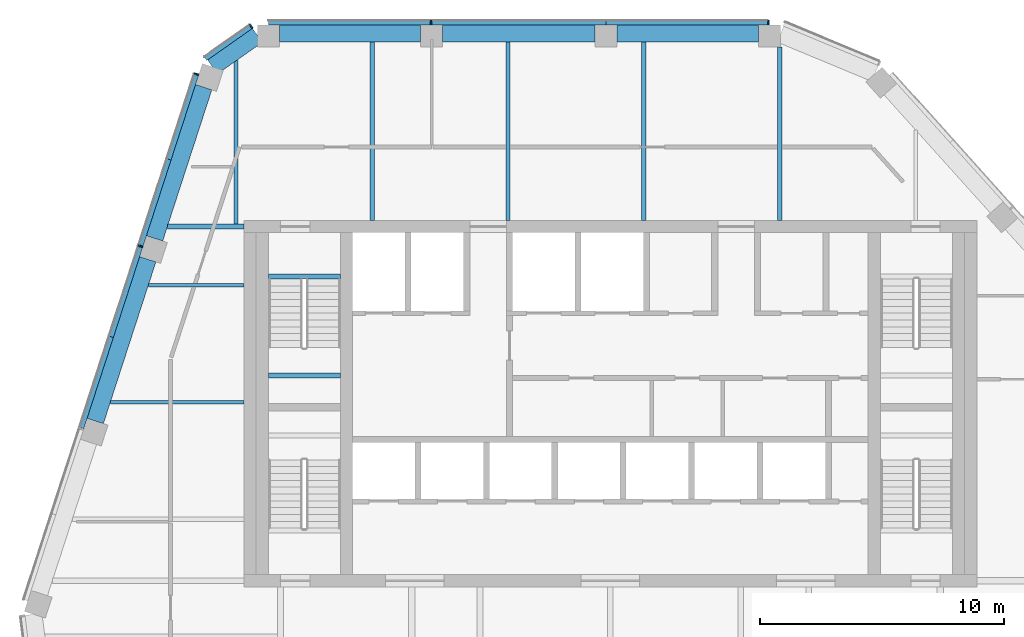
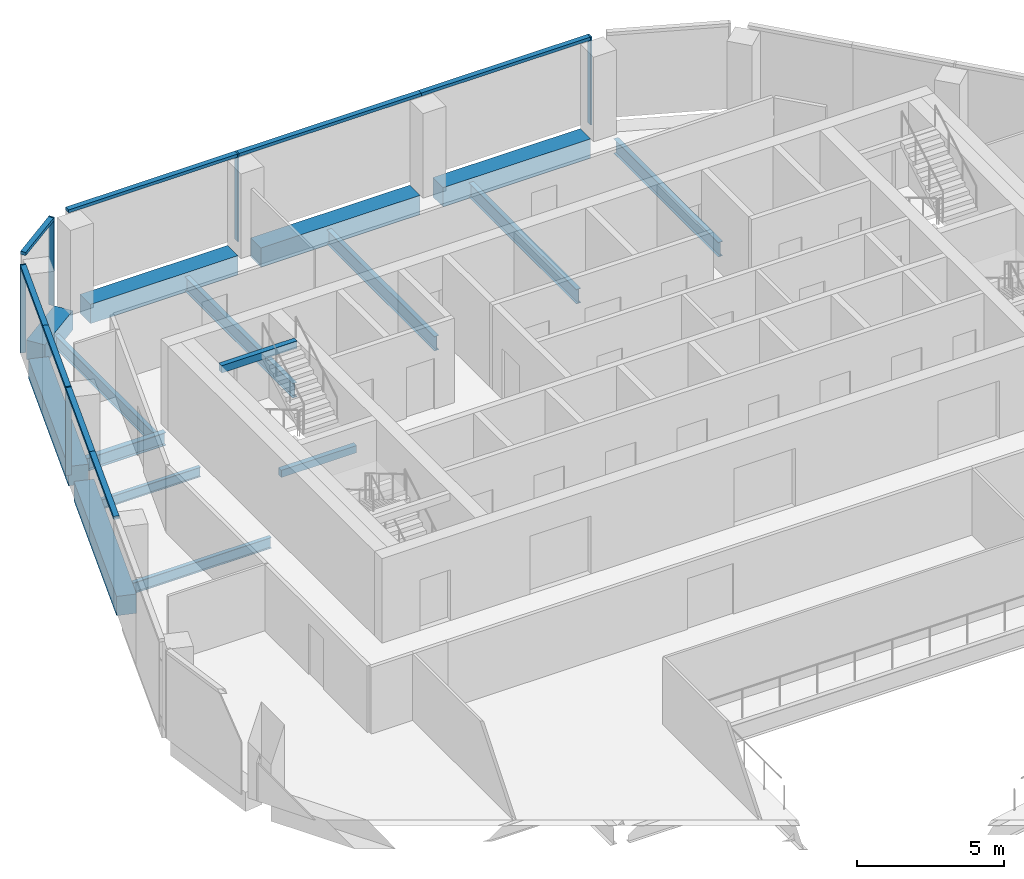
# One storey, part 5 of 15: 16 beams, 13 members, 3 elements without a shape of their own.
"""IFC4 building model written with IfcOpenShell, lengths in metres."""

import ifcopenshell
import ifcopenshell.guid

model = None  # the IFC model being written
_history = None  # IfcOwnerHistory: only IFC2X3 demands one
_inside = {}  # id of a spatial element -> (the spatial element, [elements in it])
_under = {}  # id of a project, library or spatial element -> (it, [spatial elements below it])
_declared = {}  # id of a project -> (the project, [libraries it declares])
_typed = {}  # id of a type object -> (the type object, [elements of that type])
_made_of = {}  # id of a material, layer set ... -> (it, [elements and type objects made of it])


def new_model(schema):
    """Start an empty IFC model of exactly this schema.

    Asked for "IFC4X3", IfcOpenShell would pick the latest addendum, in which some entities
    have other attributes; the version numbers below select the first issue.
    IFC2X3 requires an IfcOwnerHistory on every rooted entity: one is made here for all.
    """
    global model, _history
    if schema == "IFC4X3":
        model = ifcopenshell.file(schema_version=(4, 3, 0, 0))
    else:
        model = ifcopenshell.file(schema=schema)
    _inside.clear()
    _under.clear()
    _declared.clear()
    _typed.clear()
    _made_of.clear()
    _history = None
    if model.schema == "IFC2X3":
        org = make("IfcOrganization", Name="unknown")
        user = make(
            "IfcPersonAndOrganization",
            ThePerson=make("IfcPerson", FamilyName="unknown"),
            TheOrganization=org,
        )
        app = make(
            "IfcApplication",
            ApplicationDeveloper=org,
            Version="unknown",
            ApplicationFullName="unknown",
            ApplicationIdentifier="unknown",
        )
        _history = make(
            "IfcOwnerHistory",
            OwningUser=user,
            OwningApplication=app,
            ChangeAction="ADDED",
            CreationDate=0,
        )
    return model


def make(cls, **values):
    """One entity of the class cls with the attributes given. An attribute that is None is left unset."""
    return model.create_entity(
        cls, **{name: value for name, value in values.items() if value is not None}
    )


def rooted(cls, **values):
    """An entity with a GlobalId (a new one), such as an element, a storey or a relation."""
    return make(cls, GlobalId=ifcopenshell.guid.new(), OwnerHistory=_history, **values)


def si_unit(unit_type, name, prefix=None):
    """IfcSIUnit, for example si_unit("LENGTHUNIT", "METRE", prefix="MILLI")."""
    return make("IfcSIUnit", UnitType=unit_type, Prefix=prefix, Name=name)


def assignment(units):
    """IfcUnitAssignment: the units of a project."""
    return None if units is None else make("IfcUnitAssignment", Units=units)


def point(xyz):
    """IfcCartesianPoint."""
    return None if xyz is None else make("IfcCartesianPoint", Coordinates=xyz)


def direction(xyz):
    """IfcDirection."""
    return None if xyz is None else make("IfcDirection", DirectionRatios=xyz)


def frame(location, z_axis=None, x_axis=None):
    """IfcAxis2Placement3D, a coordinate frame: its origin and axes. An axis left out is left unset."""
    return make(
        "IfcAxis2Placement3D",
        Location=point(location),
        Axis=direction(z_axis),
        RefDirection=direction(x_axis),
    )


def frame_2d(location, x_axis=None):
    """IfcAxis2Placement2D, a coordinate frame in the plane: its origin and x axis."""
    return make(
        "IfcAxis2Placement2D", Location=point(location), RefDirection=direction(x_axis)
    )


def origin():
    """The frame at (0, 0, 0) with its axes left unset."""
    return frame((0.0, 0.0, 0.0))


def origin_2d():
    """The frame at (0, 0) in the plane with its x axis left unset."""
    return frame_2d((0.0, 0.0))


def place(relative_to, where):
    """IfcLocalPlacement: puts the frame where relative to a parent placement (None: the world)."""
    return make(
        "IfcLocalPlacement", PlacementRelTo=relative_to, RelativePlacement=where
    )


def context(
    kind, dimensions, precision=None, world=None, true_north=None, identifier=None
):
    """IfcGeometricRepresentationContext, for example the 3D "Model" context."""
    return make(
        "IfcGeometricRepresentationContext",
        ContextIdentifier=identifier,
        ContextType=kind,
        CoordinateSpaceDimension=dimensions,
        Precision=precision,
        WorldCoordinateSystem=world,
        TrueNorth=true_north,
    )


def subcontext(parent, identifier, kind, view, scale=None):
    """IfcGeometricRepresentationSubContext, for example "Body" below "Model"."""
    return make(
        "IfcGeometricRepresentationSubContext",
        ContextIdentifier=identifier,
        ContextType=kind,
        ParentContext=parent,
        TargetScale=scale,
        TargetView=view,
    )


def project(units=None, contexts=None):
    """IfcProject with its units and contexts."""
    return rooted(
        "IfcProject",
        Name="project",
        RepresentationContexts=contexts,
        UnitsInContext=assignment(units),
    )


def spatial(cls, under=None, at=None, **own):
    """A site, building, storey or space (cls), placed at a placement, below another one or the project."""
    s = rooted(cls, ObjectPlacement=at, **own)
    if under is not None:
        _under.setdefault(under.id(), (under, []))[1].append(s)
    return s


def profile(cls, at=None, kind="AREA", **sizes):
    """A parametric profile (cls). Its sizes go by their IFC names, for example OverallWidth=200.0."""
    return make(cls, ProfileType=kind, Position=at, **sizes)


def rectangle(**sizes):
    """IfcRectangleProfileDef."""
    return profile("IfcRectangleProfileDef", **sizes)


def i_section(**sizes):
    """IfcIShapeProfileDef."""
    return profile("IfcIShapeProfileDef", **sizes)


def extrude(swept, where, along, depth):
    """IfcExtrudedAreaSolid: the profile swept, set in the frame where, extruded along a direction by depth."""
    return make(
        "IfcExtrudedAreaSolid",
        SweptArea=swept,
        Position=where,
        ExtrudedDirection=direction(along),
        Depth=depth,
    )


def shape(context_of_items, identifier, shape_type, items):
    """IfcShapeRepresentation: the items that make up one representation, for example the "Body"."""
    return make(
        "IfcShapeRepresentation",
        ContextOfItems=context_of_items,
        RepresentationIdentifier=identifier,
        RepresentationType=shape_type,
        Items=items,
    )


def material(Name=None, Category=None):
    """IfcMaterial."""
    return make("IfcMaterial", Name=Name, Category=Category)


def layer(
    of_material, thickness, ventilated=None, Name=None, Category=None, Priority=None
):
    """IfcMaterialLayer: one layer of a wall or slab, of a material (None: an air gap)."""
    return make(
        "IfcMaterialLayer",
        Material=of_material,
        LayerThickness=thickness,
        IsVentilated=ventilated,
        Name=Name,
        Category=Category,
        Priority=Priority,
    )


def layer_set(layers, Name=None):
    """IfcMaterialLayerSet."""
    return make("IfcMaterialLayerSet", MaterialLayers=layers, LayerSetName=Name)


def material_profile(
    of_material, cross_section, Name=None, Category=None, Priority=None
):
    """IfcMaterialProfile: a cross section and its material."""
    return make(
        "IfcMaterialProfile",
        Name=Name,
        Material=of_material,
        Profile=cross_section,
        Priority=Priority,
        Category=Category,
    )


def profile_set(profiles, Name=None, composite=None):
    """IfcMaterialProfileSet."""
    return make(
        "IfcMaterialProfileSet",
        Name=Name,
        MaterialProfiles=profiles,
        CompositeProfile=composite,
    )


def made_of(thing, what):
    """Note that an element or type object is made of a material, layer set ...; save() writes the relation."""
    if what is not None:
        _made_of.setdefault(what.id(), (what, []))[1].append(thing)
    return thing


def type_object(cls, material=None, **own):
    """A type object (cls), such as IfcWallType, which elements share."""
    return made_of(rooted(cls, **own), material)


def element(
    cls,
    number,
    at=None,
    inside=None,
    cuts=None,
    type_object=None,
    material=None,
    context=None,
    identifier="Body",
    shape_type=None,
    held_by="IfcProductDefinitionShape",
    body=None,
    shapes=None,
    **own,
):
    """One element of the class cls, such as IfcWall. Its Tag is "e" and its number.

    at: its placement. inside: the storey or other place that contains it. cuts: it is an
    opening in that element (IfcRelVoidsElement). A single representation is given by context,
    identifier, shape_type and body (its items); several are given by shapes. held_by: the class
    of the entity that holds the representations. save() writes the other relations.
    """
    e = rooted(cls, Tag="e%d" % number, ObjectPlacement=at, **own)
    if body is not None:
        shapes = [shape(context, identifier, shape_type, body)]
    if shapes is not None:
        e.Representation = make(held_by, Representations=shapes)
    if inside is not None:
        _inside.setdefault(inside.id(), (inside, []))[1].append(e)
    if cuts is not None:
        rooted(
            "IfcRelVoidsElement", RelatingBuildingElement=cuts, RelatedOpeningElement=e
        )
    if type_object is not None:
        _typed.setdefault(type_object.id(), (type_object, []))[1].append(e)
    return made_of(e, material)


def aggregate(whole, parts):
    """IfcRelAggregates: a whole, such as a stair, and the parts it consists of."""
    return rooted("IfcRelAggregates", RelatingObject=whole, RelatedObjects=parts)


def save(model, path):
    """Write the relations noted so far, then the file.

    IfcRelAggregates (storeys below a building ...), IfcRelContainedInSpatialStructure (elements
    in a storey), IfcRelDefinesByType, IfcRelAssociatesMaterial and IfcRelDeclares: one each for
    every whole, place, type object, material and project.
    """
    for whole, parts in _under.values():
        aggregate(whole, parts)
    for where, things in _inside.values():
        rooted(
            "IfcRelContainedInSpatialStructure",
            RelatedElements=things,
            RelatingStructure=where,
        )
    for kind, things in _typed.values():
        rooted("IfcRelDefinesByType", RelatedObjects=things, RelatingType=kind)
    for what, things in _made_of.values():
        rooted("IfcRelAssociatesMaterial", RelatedObjects=things, RelatingMaterial=what)
    for by, libraries in _declared.values():
        rooted("IfcRelDeclares", RelatingContext=by, RelatedDefinitions=libraries)
    model.write(path)


model = new_model("IFC4")

# Units and contexts
model_context = context("Model", 3, precision=1e-05, world=origin(), true_north=direction((0.0, 1.0)))
body_context = subcontext(model_context, "Body", "Model", "MODEL_VIEW")
ifc_project = project(units=[si_unit("LENGTHUNIT", "METRE"), si_unit("AREAUNIT", "SQUARE_METRE"), si_unit("VOLUMEUNIT", "CUBIC_METRE"), si_unit("PLANEANGLEUNIT", "RADIAN"), si_unit("MASSUNIT", "GRAM", prefix="KILO")], contexts=[model_context])

# Site, building, storey
site_placement = place(None, origin())
site = spatial("IfcSite", under=ifc_project, at=site_placement, CompositionType="ELEMENT")
building_placement = place(site_placement, origin())
building = spatial("IfcBuilding", under=site, at=building_placement, Name="Isthmus Gate Tower", CompositionType="ELEMENT")
storey_placement = place(building_placement, frame((0.0, 0.0, 293.800048828125)))
storey = spatial("IfcBuildingStorey", under=building, at=storey_placement, Name="L75", CompositionType="ELEMENT", Elevation=293.800048828125)

# Curtain wall, members
ifc_material_1 = material(Name="Aluminium, pale champagne anodised", Category="aluminium")
ifc_layer = layer(ifc_material_1, 0.199951171875)
ifc_layer_set = layer_set([ifc_layer], Name="CW-1 UNITISED CURTAIN WALL 200 DEEP")
curtain_wall_type = type_object("IfcCurtainWallType", Name="CW-1 UNITISED CURTAIN WALL 200 DEEP", PredefinedType="NOTDEFINED", material=ifc_layer_set)
curtain_wall_1_placement = place(storey_placement, origin())
curtain_wall_1 = element("IfcCurtainWall", 1, at=curtain_wall_1_placement, inside=storey, type_object=curtain_wall_type, Name="CW-1 N L75", PredefinedType="NOTDEFINED")
ifc_material_2 = material(Name="Aluminium, pale champagne anodised", Category="aluminium")
ifc_material_profile_1 = material_profile(ifc_material_2, rectangle(XDim=0.06005859375, YDim=0.199951171875, at=origin_2d()), Name="60x200")
ifc_profile_set_1 = profile_set([ifc_material_profile_1], Name="Aluminium, pale champagne anodised")
member_type_1 = type_object("IfcMemberType", Name="CW-1 MULLION 60 X 200", PredefinedType="MULLION", material=ifc_profile_set_1)
member_1_placement = place(storey_placement, frame((6.4794921875, 23.10009765625, 0.0), z_axis=(0.0, 0.0, 1.0), x_axis=(-1.0, 0.0, 0.0)))
member_1 = element("IfcMember", 2, at=member_1_placement, type_object=member_type_1, Name="CW-1 mullion", PredefinedType="MULLION", context=body_context, shape_type="SweptSolid", body=[
    extrude(rectangle(XDim=0.06005859375, YDim=0.199951171875, at=origin_2d()), origin(), (0.0, 0.0, 1.0), 3.64990234375),
])
member_2_placement = place(storey_placement, frame((-7.339599609375, 23.10009765625, 0.0), z_axis=(0.0, 0.0, 1.0), x_axis=(-1.0, 0.0, 0.0)))
member_2 = element("IfcMember", 3, at=member_2_placement, type_object=member_type_1, Name="CW-1 mullion", PredefinedType="MULLION", context=body_context, shape_type="SweptSolid", body=[
    extrude(rectangle(XDim=0.06005859375, YDim=0.199951171875, at=origin_2d()), origin(), (0.0, 0.0, 1.0), 3.64990234375),
])

# Curtain wall, member
curtain_wall_2_placement = place(storey_placement, origin())
curtain_wall_2 = element("IfcCurtainWall", 4, at=curtain_wall_2_placement, inside=storey, type_object=curtain_wall_type, Name="CW-1 N-NW L75", PredefinedType="NOTDEFINED")
member_3_placement = place(storey_placement, frame((-14.69873046875, 22.943115234375, 0.0), z_axis=(0.0, 0.0, 1.0), x_axis=(-0.81785959165, -0.57541783805, 0.0)))
member_3 = element("IfcMember", 5, at=member_3_placement, type_object=member_type_1, Name="CW-1 mullion", PredefinedType="MULLION", context=body_context, shape_type="SweptSolid", body=[
    extrude(rectangle(XDim=0.06005859375, YDim=0.199951171875, at=origin_2d()), origin(), (0.0, 0.0, 1.0), 3.64990234375),
])

# Curtain wall, members
curtain_wall_3_placement = place(storey_placement, origin())
curtain_wall_3 = element("IfcCurtainWall", 6, at=curtain_wall_3_placement, inside=storey, type_object=curtain_wall_type, Name="CW-1 NW L75", PredefinedType="NOTDEFINED")
member_4_placement = place(storey_placement, frame((-16.9404296875, 20.9892578125, 0.0), z_axis=(0.0, 0.0, 1.0), x_axis=(-0.309016994375, -0.951056516295, 0.0)))
member_4 = element("IfcMember", 7, at=member_4_placement, type_object=member_type_1, Name="CW-1 mullion", PredefinedType="MULLION", context=body_context, shape_type="SweptSolid", body=[
    extrude(rectangle(XDim=0.06005859375, YDim=0.199951171875, at=origin_2d()), origin(), (0.0, 0.0, 1.0), 3.64990234375),
])
member_5_placement = place(storey_placement, frame((-19.229248046875, 13.945068359375, 0.0), z_axis=(0.0, 0.0, 1.0), x_axis=(-0.309016994375, -0.951056516295, 0.0)))
member_5 = element("IfcMember", 8, at=member_5_placement, type_object=member_type_1, Name="CW-1 mullion", PredefinedType="MULLION", context=body_context, shape_type="SweptSolid", body=[
    extrude(rectangle(XDim=0.06005859375, YDim=0.199951171875, at=origin_2d()), origin(), (0.0, 0.0, 1.0), 3.64990234375),
])

# Member
ifc_material_3 = material(Name="Aluminium, pale champagne anodised", Category="aluminium")
ifc_material_profile_2 = material_profile(ifc_material_3, rectangle(XDim=0.199951171875, YDim=0.1298828125, at=origin_2d()), Name="200x130")
ifc_profile_set_2 = profile_set([ifc_material_profile_2], Name="Aluminium, pale champagne anodised")
member_type_2 = type_object("IfcMemberType", Name="CW-1 TRANSOM 200 X 130", PredefinedType="USERDEFINED", material=ifc_profile_set_2)
member_6_placement = place(storey_placement, frame((6.449462890625, 23.10009765625, 3.5849609375), z_axis=(-1.0, 0.0, 0.0), x_axis=(0.0, -1.0, 0.0)))
member_6 = element("IfcMember", 9, at=member_6_placement, type_object=member_type_2, Name="CW-1 transom", ObjectType="TRANSOM", PredefinedType="USERDEFINED", context=body_context, shape_type="SweptSolid", body=[
    extrude(rectangle(XDim=0.199951171875, YDim=0.1298828125, at=origin_2d()), origin(), (0.0, 0.0, 1.0), 6.62451171875),
])

member_7_placement = place(storey_placement, frame((-0.175048828125, 23.10009765625, 3.5849609375), z_axis=(-1.0, 0.0, 0.0), x_axis=(0.0, -1.0, 0.0)))
member_7 = element("IfcMember", 10, at=member_7_placement, type_object=member_type_2, Name="CW-1 transom", ObjectType="TRANSOM", PredefinedType="USERDEFINED", context=body_context, shape_type="SweptSolid", body=[
    extrude(rectangle(XDim=0.199951171875, YDim=0.1298828125, at=origin_2d()), origin(), (0.0, 0.0, 1.0), 7.134521484375),
])

member_8_placement = place(storey_placement, frame((-7.36962890625, 23.10009765625, 3.5849609375), z_axis=(-1.0, 0.0, 0.0), x_axis=(0.0, -1.0, 0.0)))
member_8 = element("IfcMember", 11, at=member_8_placement, type_object=member_type_2, Name="CW-1 transom", ObjectType="TRANSOM", PredefinedType="USERDEFINED", context=body_context, shape_type="SweptSolid", body=[
    extrude(rectangle(XDim=0.199951171875, YDim=0.1298828125, at=origin_2d()), origin(), (0.0, 0.0, 1.0), 6.62451171875),
])

aggregate(curtain_wall_1, [member_1, member_6, member_7, member_2, member_8])

member_9_placement = place(storey_placement, frame((-14.723388671875, 22.92578125, 3.5849609375), z_axis=(-0.817868595604, -0.575405040233, 0.0), x_axis=(0.575405040233, -0.817868595604, 0.0)))
member_9 = element("IfcMember", 12, at=member_9_placement, type_object=member_type_2, Name="CW-1 transom", ObjectType="TRANSOM", PredefinedType="USERDEFINED", context=body_context, shape_type="SweptSolid", body=[
    extrude(rectangle(XDim=0.199951171875, YDim=0.1298828125, at=origin_2d()), origin(), (0.0, 0.0, 1.0), 2.258544921875),
])

aggregate(curtain_wall_2, [member_3, member_9])

member_10_placement = place(storey_placement, frame((-16.94970703125, 20.960693359375, 3.5849609375), z_axis=(-0.30904213216, -0.951048348166, 0.0), x_axis=(0.951048348166, -0.30904213216, 0.0)))
member_10 = element("IfcMember", 13, at=member_10_placement, type_object=member_type_2, Name="CW-1 transom", ObjectType="TRANSOM", PredefinedType="USERDEFINED", context=body_context, shape_type="SweptSolid", body=[
    extrude(rectangle(XDim=0.199951171875, YDim=0.1298828125, at=origin_2d()), origin(), (0.0, 0.0, 1.0), 3.6435546875),
])

member_11_placement = place(storey_placement, frame((-18.07568359375, 17.49560546875, 3.5849609375), z_axis=(-0.308999609488, -0.951062164812, 0.0), x_axis=(0.951062164812, -0.308999609488, 0.0)))
member_11 = element("IfcMember", 14, at=member_11_placement, type_object=member_type_2, Name="CW-1 transom", ObjectType="TRANSOM", PredefinedType="USERDEFINED", context=body_context, shape_type="SweptSolid", body=[
    extrude(rectangle(XDim=0.199951171875, YDim=0.1298828125, at=origin_2d()), origin(), (0.0, 0.0, 1.0), 3.703125),
])

member_12_placement = place(storey_placement, frame((-19.238525390625, 13.91650390625, 3.5849609375), z_axis=(-0.309061811928, -0.951041953022, 0.0), x_axis=(0.951041953022, -0.309061811928, 0.0)))
member_12 = element("IfcMember", 15, at=member_12_placement, type_object=member_type_2, Name="CW-1 transom", ObjectType="TRANSOM", PredefinedType="USERDEFINED", context=body_context, shape_type="SweptSolid", body=[
    extrude(rectangle(XDim=0.199951171875, YDim=0.1298828125, at=origin_2d()), origin(), (0.0, 0.0, 1.0), 3.868408203125),
])

member_13_placement = place(storey_placement, frame((-20.43408203125, 10.237548828125, 3.5849609375), z_axis=(-0.308984896154, -0.951066945041, 0.0), x_axis=(0.951066945041, -0.308984896154, 0.0)))
member_13 = element("IfcMember", 16, at=member_13_placement, type_object=member_type_2, Name="CW-1 transom", ObjectType="TRANSOM", PredefinedType="USERDEFINED", context=body_context, shape_type="SweptSolid", body=[
    extrude(rectangle(XDim=0.199951171875, YDim=0.1298828125, at=origin_2d()), origin(), (0.0, 0.0, 1.0), 3.928466796875),
])

aggregate(curtain_wall_3, [member_4, member_10, member_11, member_5, member_12, member_13])

# Beams
ifc_material_4 = material(Name="Concrete f'c 50 MPa", Category="concrete")
ifc_material_profile_3 = material_profile(ifc_material_4, rectangle(XDim=0.699951171875, YDim=0.800048828125, at=origin_2d()), Name="RC 700X800")
ifc_profile_set_3 = profile_set([ifc_material_profile_3], Name="Concrete f'c 50 MPa")
beam_type_1 = type_object("IfcBeamType", Name="RC SPANDREL 700 X 800", PredefinedType="SPANDREL", material=ifc_profile_set_3)
beam_1_placement = place(storey_placement, frame((-21.080810546875, 6.790283203125, -0.400146484375), z_axis=(0.309006716915, 0.951059855583, 0.0), x_axis=(-0.951059855583, 0.309006716915, 0.0)))
element("IfcBeam", 17, at=beam_1_placement, inside=storey, type_object=beam_type_1, Name="str-spandrel-L75-18", PredefinedType="SPANDREL", context=body_context, shape_type="SweptSolid", body=[
    extrude(rectangle(XDim=0.699951171875, YDim=0.800048828125, at=origin_2d()), origin(), (0.0, 0.0, 1.0), 6.956787109375),
])
beam_2_placement = place(storey_placement, frame((-18.653076171875, 14.262451171875, -0.400146484375), z_axis=(0.30901480678, 0.951057227085, 0.0), x_axis=(-0.951057227085, 0.30901480678, 0.0)))
element("IfcBeam", 18, at=beam_2_placement, inside=storey, type_object=beam_type_1, Name="str-spandrel-L75-19", PredefinedType="SPANDREL", context=body_context, shape_type="SweptSolid", body=[
    extrude(rectangle(XDim=0.699951171875, YDim=0.800048828125, at=origin_2d()), origin(), (0.0, 0.0, 1.0), 6.5068359375),
])
beam_3_placement = place(storey_placement, frame((-16.281005859375, 21.27978515625, -0.400146484375), z_axis=(0.817891678431, 0.57537222939, 0.0), x_axis=(-0.57537222939, 0.817891678431, 0.0)))
element("IfcBeam", 19, at=beam_3_placement, inside=storey, type_object=beam_type_1, Name="str-spandrel-L75-20", PredefinedType="SPANDREL", context=body_context, shape_type="SweptSolid", body=[
    extrude(rectangle(XDim=0.699951171875, YDim=0.800048828125, at=origin_2d()), origin(), (0.0, 0.0, 1.0), 2.245849609375),
])
beam_4_placement = place(storey_placement, frame((-13.544189453125, 22.64990234375, -0.400146484375), z_axis=(1.0, 0.0, 0.0), x_axis=(0.0, 1.0, 0.0)))
element("IfcBeam", 20, at=beam_4_placement, inside=storey, type_object=beam_type_1, Name="str-spandrel-L75-21", PredefinedType="SPANDREL", context=body_context, shape_type="SweptSolid", body=[
    extrude(rectangle(XDim=0.699951171875, YDim=0.800048828125, at=origin_2d()), origin(), (0.0, 0.0, 1.0), 5.78466796875),
])
beam_5_placement = place(storey_placement, frame((-6.859619140625, 22.64990234375, -0.400146484375), z_axis=(1.0, 0.0, 0.0), x_axis=(0.0, 1.0, 0.0)))
element("IfcBeam", 21, at=beam_5_placement, inside=storey, type_object=beam_type_1, Name="str-spandrel-L75-22", PredefinedType="SPANDREL", context=body_context, shape_type="SweptSolid", body=[
    extrude(rectangle(XDim=0.699951171875, YDim=0.800048828125, at=origin_2d()), origin(), (0.0, 0.0, 1.0), 6.234619140625),
])
beam_6_placement = place(storey_placement, frame((0.27490234375, 22.64990234375, -0.400146484375), z_axis=(1.0, 0.0, 0.0), x_axis=(0.0, 1.0, 0.0)))
element("IfcBeam", 22, at=beam_6_placement, inside=storey, type_object=beam_type_1, Name="str-spandrel-L75-23", PredefinedType="SPANDREL", context=body_context, shape_type="SweptSolid", body=[
    extrude(rectangle(XDim=0.699951171875, YDim=0.800048828125, at=origin_2d()), origin(), (0.0, 0.0, 1.0), 5.784423828125),
])
ifc_material_5 = material(Name="Concrete f'c 40 MPa", Category="concrete")
ifc_material_profile_4 = material_profile(ifc_material_5, rectangle(XDim=0.199951171875, YDim=0.300048828125, at=origin_2d()), Name="STAIR LANDING BEAM RC 200 X 300")
ifc_profile_set_4 = profile_set([ifc_material_profile_4], Name="Concrete f'c 40 MPa")
beam_type_2 = type_object("IfcBeamType", Name="STAIR LANDING BEAM RC 200 X 300", PredefinedType="BEAM", material=ifc_profile_set_4)
for number, where, z_axis, x_axis, name in (
    (23, (-14.0, 8.64990234375, 1.474853515625), (1.0, 0.0, 0.0), (0.0, 1.0, 0.0), "L75 ST1 landing beam 1"),
    (24, (-14.0, 12.7001953125, 3.349853515625), (1.0, 0.0, 0.0), (0.0, 1.0, 0.0), "L75 ST1 floor-edge seat beam"),
):
    element("IfcBeam", number, at=place(storey_placement, frame(where, z_axis=z_axis, x_axis=x_axis)), inside=storey, type_object=beam_type_2, Name=name, PredefinedType="BEAM", context=body_context, shape_type="SweptSolid", body=[
        extrude(rectangle(XDim=0.199951171875, YDim=0.300048828125, at=origin_2d()), origin(), (0.0, 0.0, 1.0), 2.949951171875),
    ])
ifc_material_6 = material(Name="Structural steel ASTM A992 Gr 50", Category="steel")
ifc_material_profile_5 = material_profile(ifc_material_6, i_section(OverallWidth=0.1396484375, OverallDepth=0.4033203125, WebThickness=0.00634765625, FlangeThickness=0.010986328125, at=origin_2d()), Name="W16X31")
ifc_profile_set_5 = profile_set([ifc_material_profile_5], Name="Structural steel ASTM A992 Gr 50")
beam_type_3 = type_object("IfcBeamType", Name="STEEL FLOOR BEAM W16X31", PredefinedType="JOIST", material=ifc_profile_set_5)
beam_7_placement = place(storey_placement, frame((-18.905517578125, 12.352294921875, -0.3515625), z_axis=(1.0, 0.0, 0.0), x_axis=(0.0, 1.0, 0.0)))
element("IfcBeam", 25, at=beam_7_placement, inside=storey, type_object=beam_type_3, Name="str-beam-L75-00-02", PredefinedType="JOIST", context=body_context, shape_type="SweptSolid", body=[
    extrude(i_section(OverallWidth=0.1396484375, OverallDepth=0.4033203125, WebThickness=0.00634765625, FlangeThickness=0.010986328125, at=origin_2d()), origin(), (0.0, 0.0, 1.0), 3.905517578125),
])
ifc_material_7 = material(Name="Structural steel ASTM A992 Gr 50", Category="steel")
ifc_material_profile_6 = material_profile(ifc_material_7, i_section(OverallWidth=0.15234375, OverallDepth=0.45068359375, WebThickness=0.0078125, FlangeThickness=0.010986328125, at=origin_2d()), Name="W18X35")
ifc_profile_set_6 = profile_set([ifc_material_profile_6], Name="Structural steel ASTM A992 Gr 50")
beam_type_4 = type_object("IfcBeamType", Name="STEEL FLOOR BEAM W18X35", PredefinedType="JOIST", material=ifc_profile_set_6)
beam_8_placement = place(storey_placement, frame((-20.463623046875, 7.55712890625, -0.37548828125), z_axis=(1.0, 0.0, 0.0), x_axis=(0.0, 1.0, 0.0)))
element("IfcBeam", 26, at=beam_8_placement, inside=storey, type_object=beam_type_4, Name="str-beam-L75-00-01", PredefinedType="JOIST", context=body_context, shape_type="SweptSolid", body=[
    extrude(i_section(OverallWidth=0.15234375, OverallDepth=0.45068359375, WebThickness=0.0078125, FlangeThickness=0.010986328125, at=origin_2d()), origin(), (0.0, 0.0, 1.0), 5.463623046875),
])
ifc_material_8 = material(Name="Structural steel ASTM A992 Gr 50", Category="steel")
ifc_material_profile_7 = material_profile(ifc_material_8, i_section(OverallWidth=0.1650390625, OverallDepth=0.52392578125, WebThickness=0.009521484375, FlangeThickness=0.010986328125, at=origin_2d()), Name="W21X44")
ifc_profile_set_7 = profile_set([ifc_material_profile_7], Name="Structural steel ASTM A992 Gr 50")
beam_type_5 = type_object("IfcBeamType", Name="STEEL FLOOR BEAM W21X44", PredefinedType="JOIST", material=ifc_profile_set_7)
beam_9_placement = place(storey_placement, frame((-15.311767578125, 14.854736328125, -0.412109375), z_axis=(0.0, 1.0, 0.0), x_axis=(-1.0, 0.0, 0.0)))
element("IfcBeam", 27, at=beam_9_placement, inside=storey, type_object=beam_type_5, Name="str-beam-L75-07-00", PredefinedType="JOIST", context=body_context, shape_type="SweptSolid", body=[
    extrude(i_section(OverallWidth=0.1650390625, OverallDepth=0.52392578125, WebThickness=0.009521484375, FlangeThickness=0.010986328125, at=origin_2d()), origin(), (0.0, 0.0, 1.0), 6.678955078125),
])
ifc_material_9 = material(Name="Structural steel ASTM A992 Gr 50", Category="steel")
ifc_material_profile_8 = material_profile(ifc_material_9, i_section(OverallWidth=0.177734375, OverallDepth=0.60009765625, WebThickness=0.009521484375, FlangeThickness=0.0126953125, at=origin_2d()), Name="W24X55")
ifc_profile_set_8 = profile_set([ifc_material_profile_8], Name="Structural steel ASTM A992 Gr 50")
beam_type_6 = type_object("IfcBeamType", Name="STEEL FLOOR BEAM W24X55", PredefinedType="JOIST", material=ifc_profile_set_8)
for number, where, z_axis, x_axis, name in (
    (28, (-9.750244140625, 15.0, -0.4501953125), (0.0, 1.0, 0.0), (-1.0, 0.0, 0.0), "str-beam-L75-07-01"),
    (29, (-4.188720703125, 15.0, -0.4501953125), (0.0, 1.0, 0.0), (-1.0, 0.0, 0.0), "str-beam-L75-07-02"),
    (30, (1.372802734375, 15.0, -0.4501953125), (0.0, 1.0, 0.0), (-1.0, 0.0, 0.0), "str-beam-L75-07-03"),
):
    element("IfcBeam", number, at=place(storey_placement, frame(where, z_axis=z_axis, x_axis=x_axis)), inside=storey, type_object=beam_type_6, Name=name, PredefinedType="JOIST", context=body_context, shape_type="SweptSolid", body=[
        extrude(i_section(OverallWidth=0.177734375, OverallDepth=0.60009765625, WebThickness=0.009521484375, FlangeThickness=0.0126953125, at=origin_2d()), origin(), (0.0, 0.0, 1.0), 7.300048828125),
    ])
beam_10_placement = place(storey_placement, frame((6.93408203125, 15.0, -0.4501953125), z_axis=(0.0, 1.0, 0.0), x_axis=(-1.0, 0.0, 0.0)))
element("IfcBeam", 31, at=beam_10_placement, inside=storey, type_object=beam_type_6, Name="str-beam-L75-07-04", PredefinedType="JOIST", context=body_context, shape_type="SweptSolid", body=[
    extrude(i_section(OverallWidth=0.177734375, OverallDepth=0.60009765625, WebThickness=0.009521484375, FlangeThickness=0.0126953125, at=origin_2d()), origin(), (0.0, 0.0, 1.0), 7.10009765625),
])
ifc_material_10 = material(Name="Structural steel ASTM A992 Gr 50", Category="steel")
ifc_material_profile_9 = material_profile(ifc_material_10, i_section(OverallWidth=0.20947265625, OverallDepth=0.533447265625, WebThickness=0.009521484375, FlangeThickness=0.015869140625, at=origin_2d()), Name="W21X62")
ifc_profile_set_9 = profile_set([ifc_material_profile_9], Name="Structural steel ASTM A992 Gr 50")
beam_type_7 = type_object("IfcBeamType", Name="STEEL GIRDER W21X62", PredefinedType="BEAM", material=ifc_profile_set_9)
beam_11_placement = place(storey_placement, frame((-15.0, 14.75, -0.416748046875), z_axis=(-1.0, 0.0, 0.0), x_axis=(0.0, -1.0, 0.0)))
element("IfcBeam", 32, at=beam_11_placement, inside=storey, type_object=beam_type_7, Name="str-girder-L75-11", PredefinedType="BEAM", context=body_context, shape_type="SweptSolid", body=[
    extrude(i_section(OverallWidth=0.20947265625, OverallDepth=0.533447265625, WebThickness=0.009521484375, FlangeThickness=0.015869140625, at=origin_2d()), origin(), (0.0, 0.0, 1.0), 3.12646484375),
])

save(model, "model.ifc")
